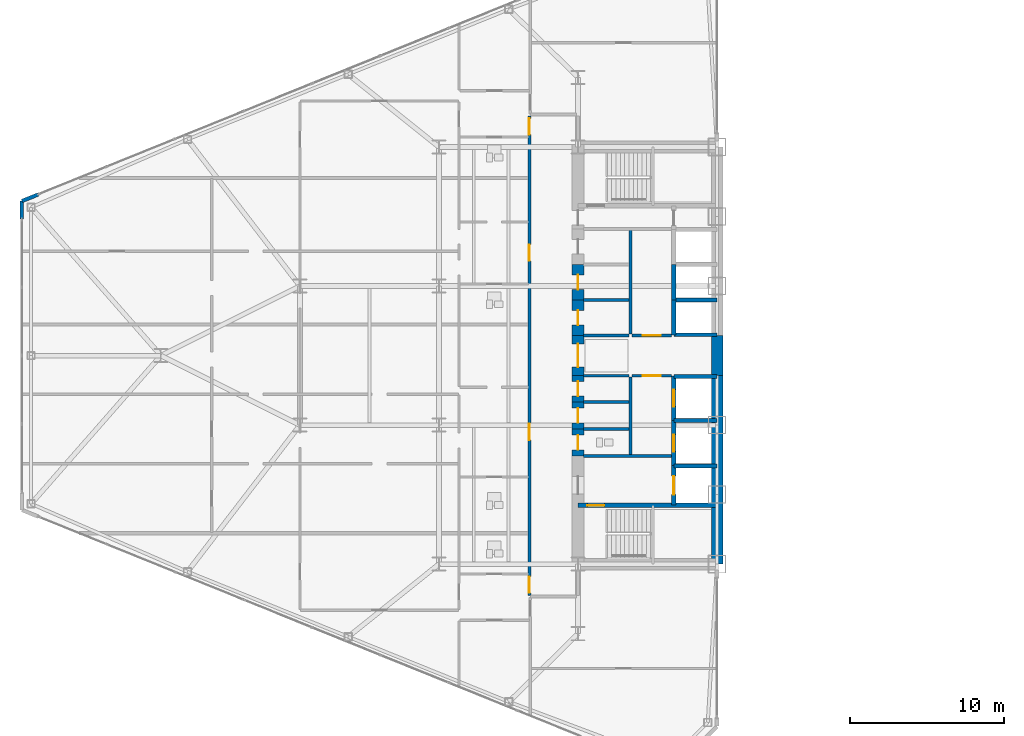
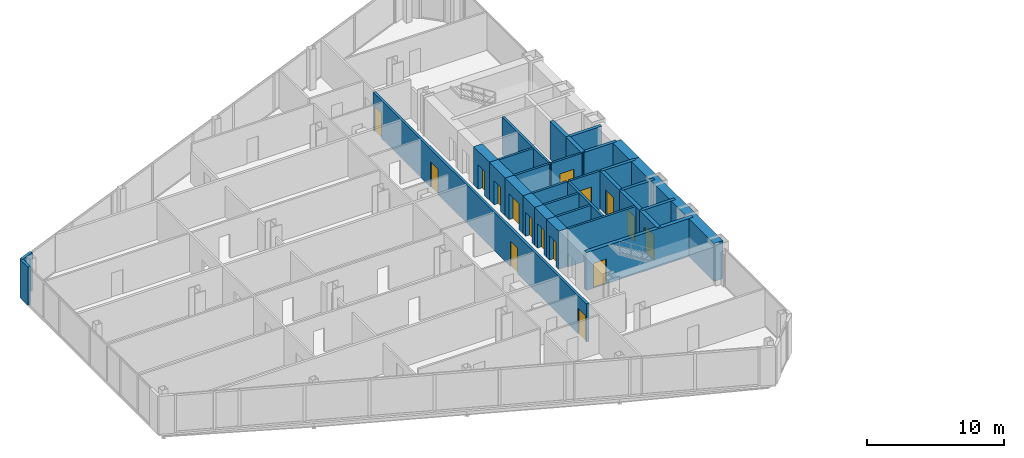
# One storey, part 18 of 25: 32 walls, 16 doors, 16 openings.
"""IFC4 building model written with IfcOpenShell, lengths in metres."""

from ifc_helpers import new_model, si_unit, direction, frame, frame_2d, origin, place, context, subcontext, project, spatial, rectangle, extrude, source, transform, mapped, material, layer, layer_set, type_object, type_shapes, element, fill, save


model = new_model("IFC4")

# Units and contexts
model_context = context("Model", 3, precision=1e-05, world=origin(), true_north=direction((0.0, 1.0)))
body_context = subcontext(model_context, "Body", "Model", "MODEL_VIEW")
ifc_project = project(units=[si_unit("LENGTHUNIT", "METRE"), si_unit("AREAUNIT", "SQUARE_METRE"), si_unit("VOLUMEUNIT", "CUBIC_METRE"), si_unit("PLANEANGLEUNIT", "RADIAN"), si_unit("MASSUNIT", "GRAM", prefix="KILO")], contexts=[model_context])

# Site, building, storey
site_placement = place(None, origin())
site = spatial("IfcSite", under=ifc_project, at=site_placement, CompositionType="ELEMENT")
building_placement = place(site_placement, origin())
building = spatial("IfcBuilding", under=site, at=building_placement, Name="Seokmaru Belvedere", CompositionType="ELEMENT")
storey_placement = place(building_placement, frame((0.0, 0.0, 33.300048828125)))
storey = spatial("IfcBuildingStorey", under=building, at=storey_placement, Name="L08", CompositionType="ELEMENT", Elevation=33.300048828125)

# Walls
ifc_material_1 = material(Name="Fire-Rated Gypsum Shaftwall")
ifc_layer_1 = layer(ifc_material_1, 0.179931640625)
ifc_layer_set_1 = layer_set([ifc_layer_1], Name="Fire-Rated Gypsum Shaftwall")
wall_type_1 = type_object("IfcWallType", Name="Core Service Fire Partition 180", PredefinedType="PARTITIONING", material=ifc_layer_set_1)
wall_1_placement = place(storey_placement, frame((-36.14990234375, -6.5, 0.0), z_axis=(0.0, 0.0, 1.0), x_axis=(1.0, 0.0, 0.0)))
element("IfcWall", 1, at=wall_1_placement, inside=storey, type_object=wall_type_1, Name="L08 West Firefighting Lobby Partition", PredefinedType="PARTITIONING", context=body_context, shape_type="SweptSolid", body=[
    extrude(rectangle(XDim=5.699951171875, YDim=0.179931640625, at=frame_2d((2.85009765625, 0.0))), origin(), (0.0, 0.0, 1.0), 3.3798828125),
])
wall_2_placement = place(storey_placement, frame((-33.10009765625, -6.419921875, 0.0), z_axis=(0.0, 0.0, 1.0), x_axis=(0.0, 1.0, 0.0)))
element("IfcWall", 2, at=wall_2_placement, inside=storey, type_object=wall_type_1, Name="L08 West South Core Service Back Wall", PredefinedType="PARTITIONING", context=body_context, shape_type="SweptSolid", body=[
    extrude(rectangle(XDim=5.0400390625, YDim=0.179931640625, at=frame_2d((2.52001953125, 0.0))), origin(), (0.0, 0.0, 1.0), 3.3798828125),
])
wall_3_placement = place(storey_placement, frame((-33.10009765625, 1.3798828125, 0.0), z_axis=(0.0, 0.0, 1.0), x_axis=(0.0, 1.0, 0.0)))
element("IfcWall", 3, at=wall_3_placement, inside=storey, type_object=wall_type_1, Name="L08 West North Core Service Back Wall", PredefinedType="PARTITIONING", context=body_context, shape_type="SweptSolid", body=[
    extrude(rectangle(XDim=6.740234375, YDim=0.179931640625, at=frame_2d((3.3701171875, 0.0))), origin(), (0.0, 0.0, 1.0), 3.3798828125),
])

# Wall, opening, door
wall_4_placement = place(storey_placement, frame((-33.02001953125, -1.300048828125, 0.0), z_axis=(0.0, 0.0, 1.0), x_axis=(1.0, 0.0, 0.0)))
wall_4 = element("IfcWall", 4, at=wall_4_placement, inside=storey, type_object=wall_type_1, Name="L08 West South Lift Lobby Foyer Wall", PredefinedType="PARTITIONING", context=body_context, shape_type="SweptSolid", body=[
    extrude(rectangle(XDim=2.570068359375, YDim=0.179931640625, at=frame_2d((1.28515625, 0.0))), origin(), (0.0, 0.0, 1.0), 3.3798828125),
])
opening_1_placement = place(wall_4_placement, frame((0.7099609375, 0.0, 0.0)))
opening_1 = element("IfcOpeningElement", 5, at=opening_1_placement, cuts=wall_4, Name="Opening D02", PredefinedType="OPENING", context=body_context, shape_type="SweptSolid", body=[
    extrude(rectangle(XDim=1.14990234375, YDim=2.199951171875, at=frame_2d((0.574951171875, 1.10009765625))), frame((0.0, 0.10009765625, 0.0), z_axis=(0.0, -1.0, 0.0), x_axis=(1.0, 0.0, 0.0)), (0.0, 0.0, 1.0), 0.199951171875),
])
ifc_material_2 = material(Name="Fire-Rated Steel Leaf", Category="steel")
door_type_1 = type_object("IfcDoorType", Name="Lobby and Vestibule Fire Door 1150x2200", OperationType="NOTDEFINED", PredefinedType="DOOR", material=ifc_material_2)
shared_shape_1 = source(origin(), body_context, "Body", "SweptSolid", [
    extrude(rectangle(XDim=1.14990234375, YDim=2.199951171875, at=frame_2d((0.574951171875, 1.10009765625))), frame((0.0, 0.02490234375, 0.0), z_axis=(0.0, -1.0, 0.0), x_axis=(1.0, 0.0, 0.0)), (0.0, 0.0, 1.0), 0.050048828125),
])
type_shapes(door_type_1, [shared_shape_1])
door_1_placement = place(opening_1_placement, origin())
door_1 = element("IfcDoor", 6, at=door_1_placement, inside=storey, type_object=door_type_1, Name="L08 West South Core Foyer Door", OperationType="SINGLE_SWING_LEFT", OverallHeight=2.199951171875, OverallWidth=1.14990234375, PredefinedType="DOOR", context=body_context, shape_type="MappedRepresentation", body=[
    mapped(shared_shape_1, transform((0.0, 0.0, 0.0), scale=1.0)),
])
fill(opening_1, door_1)

wall_5_placement = place(storey_placement, frame((-33.02001953125, 1.300048828125, 0.0), z_axis=(0.0, 0.0, 1.0), x_axis=(1.0, 0.0, 0.0)))
wall_5 = element("IfcWall", 7, at=wall_5_placement, inside=storey, type_object=wall_type_1, Name="L08 West North Lift Lobby Foyer Wall", PredefinedType="PARTITIONING", context=body_context, shape_type="SweptSolid", body=[
    extrude(rectangle(XDim=2.570068359375, YDim=0.179931640625, at=frame_2d((1.28515625, 0.0))), origin(), (0.0, 0.0, 1.0), 3.3798828125),
])
opening_2_placement = place(wall_5_placement, frame((0.7099609375, 0.0, 0.0)))
opening_2 = element("IfcOpeningElement", 8, at=opening_2_placement, cuts=wall_5, Name="Opening D02", PredefinedType="OPENING", context=body_context, shape_type="SweptSolid", body=[
    extrude(rectangle(XDim=1.14990234375, YDim=2.199951171875, at=frame_2d((0.574951171875, 1.10009765625))), frame((0.0, 0.10009765625, 0.0), z_axis=(0.0, -1.0, 0.0), x_axis=(1.0, 0.0, 0.0)), (0.0, 0.0, 1.0), 0.199951171875),
])
door_2_placement = place(opening_2_placement, origin())
door_2 = element("IfcDoor", 9, at=door_2_placement, inside=storey, type_object=door_type_1, Name="L08 West North Lift Lobby Door", OperationType="SINGLE_SWING_RIGHT", OverallHeight=2.199951171875, OverallWidth=1.14990234375, PredefinedType="DOOR", context=body_context, shape_type="MappedRepresentation", body=[
    mapped(shared_shape_1, transform((0.0, 0.0, 0.0), scale=1.0)),
])
fill(opening_2, door_2)

# Walls
for number, where, z_axis, x_axis, name in (
    (10, (-36.14990234375, -1.300048828125, 0.0), (0.0, 0.0, 1.0), (1.0, 0.0, 0.0), "L08 West Foyer Side Wall S"),
    (11, (-36.14990234375, 1.300048828125, 0.0), (0.0, 0.0, 1.0), (1.0, 0.0, 0.0), "L08 West Foyer Side Wall N"),
    (12, (-36.14990234375, -4.75, 0.0), (0.0, 0.0, 1.0), (1.0, 0.0, 0.0), "L08 West Core Service Partition 1"),
    (13, (-36.14990234375, -3.0, 0.0), (0.0, 0.0, 1.0), (1.0, 0.0, 0.0), "L08 West Core Service Partition 2"),
    (14, (-36.14990234375, 3.60009765625, 0.0), (0.0, 0.0, 1.0), (1.0, 0.0, 0.0), "L08 West Core Service Partition 3"),
):
    element("IfcWall", number, at=place(storey_placement, frame(where, z_axis=z_axis, x_axis=x_axis)), inside=storey, type_object=wall_type_1, Name=name, PredefinedType="PARTITIONING", context=body_context, shape_type="SweptSolid", body=[
        extrude(rectangle(XDim=2.949951171875, YDim=0.179931640625, at=frame_2d((1.47509765625, 0.0))), origin(), (0.0, 0.0, 1.0), 3.3798828125),
    ])
ifc_material_3 = material(Name="Concrete C50 (50 MPa)", Category="concrete")
ifc_layer_2 = layer(ifc_material_3, 0.25)
ifc_layer_set_2 = layer_set([ifc_layer_2], Name="Concrete C50 (50 MPa)")
wall_type_2 = type_object("IfcWallType", Name="Hoistway Transverse Concrete Divider Wall 250", PredefinedType="SHEAR", material=ifc_layer_set_2)
for number, where, z_axis, x_axis, name in (
    (15, (-30.300048828125, -7.14990234375, 0.0), (0.0, 0.0, 1.0), (1.0, 0.0, 0.0), "L08 West Hoistway Divider Core Wall 1"),
    (16, (-30.300048828125, -4.199951171875, 0.0), (0.0, 0.0, 1.0), (1.0, 0.0, 0.0), "L08 West Hoistway Divider Core Wall 2"),
    (17, (-30.300048828125, -1.35009765625, 0.0), (0.0, 0.0, 1.0), (1.0, 0.0, 0.0), "L08 West Hoistway Divider Core Wall 3"),
    (18, (-30.300048828125, 1.35009765625, 0.0), (0.0, 0.0, 1.0), (1.0, 0.0, 0.0), "L08 West Hoistway Divider Core Wall 4"),
    (19, (-30.300048828125, 3.60009765625, 0.0), (0.0, 0.0, 1.0), (1.0, 0.0, 0.0), "L08 West Hoistway Divider Core Wall 5"),
):
    element("IfcWall", number, at=place(storey_placement, frame(where, z_axis=z_axis, x_axis=x_axis)), inside=storey, type_object=wall_type_2, Name=name, PredefinedType="SHEAR", context=body_context, shape_type="SweptSolid", body=[
        extrude(rectangle(XDim=2.800048828125, YDim=0.25, at=frame_2d((1.39990234375, 0.0))), origin(), (0.0, 0.0, 1.0), 3.3798828125),
    ])

# Wall, openings, doors
ifc_layer_3 = layer(ifc_material_1, 0.199951171875)
ifc_layer_set_3 = layer_set([ifc_layer_3], Name="Fire-Rated Gypsum Shaftwall")
wall_type_3 = type_object("IfcWallType", Name="Inter-Tenancy Fire Compartment Partition 200", PredefinedType="PARTITIONING", material=ifc_layer_set_3)
wall_6_placement = place(storey_placement, frame((-39.64990234375, -15.514892578125, 0.0), z_axis=(0.0, 0.0, 1.0), x_axis=(0.0, 1.0, 0.0)))
wall_6 = element("IfcWall", 20, at=wall_6_placement, inside=storey, type_object=wall_type_3, Name="L08 Interior Partition 045", PredefinedType="PARTITIONING", context=body_context, shape_type="SweptSolid", body=[
    extrude(rectangle(XDim=31.02978515625, YDim=0.199951171875, at=frame_2d((15.514892578125, 0.0))), origin(), (0.0, 0.0, 1.0), 3.3798828125),
])
opening_3_placement = place(wall_6_placement, frame((0.159912109375, 0.0, 0.0)))
opening_3 = element("IfcOpeningElement", 21, at=opening_3_placement, cuts=wall_6, Name="Opening D03", PredefinedType="OPENING", context=body_context, shape_type="SweptSolid", body=[
    extrude(rectangle(XDim=1.050048828125, YDim=2.25, at=frame_2d((0.52490234375, 1.125))), frame((0.0, 0.10986328125, 0.0), z_axis=(0.0, -1.0, 0.0), x_axis=(1.0, 0.0, 0.0)), (0.0, 0.0, 1.0), 0.219970703125),
])
opening_4_placement = place(wall_6_placement, frame((10.03759765625, 0.0, 0.0)))
opening_4 = element("IfcOpeningElement", 22, at=opening_4_placement, cuts=wall_6, Name="Opening D03", PredefinedType="OPENING", context=body_context, shape_type="SweptSolid", body=[
    extrude(rectangle(XDim=1.050048828125, YDim=2.25, at=frame_2d((0.52490234375, 1.125))), frame((0.0, 0.10986328125, 0.0), z_axis=(0.0, -1.0, 0.0), x_axis=(1.0, 0.0, 0.0)), (0.0, 0.0, 1.0), 0.219970703125),
])
opening_5_placement = place(wall_6_placement, frame((21.638427734375, 0.0, 0.0)))
opening_5 = element("IfcOpeningElement", 23, at=opening_5_placement, cuts=wall_6, Name="Opening D03", PredefinedType="OPENING", context=body_context, shape_type="SweptSolid", body=[
    extrude(rectangle(XDim=1.050048828125, YDim=2.25, at=frame_2d((0.52490234375, 1.125))), frame((0.0, 0.10986328125, 0.0), z_axis=(0.0, -1.0, 0.0), x_axis=(1.0, 0.0, 0.0)), (0.0, 0.0, 1.0), 0.219970703125),
])
opening_6_placement = place(wall_6_placement, frame((29.820068359375, 0.0, 0.0)))
opening_6 = element("IfcOpeningElement", 24, at=opening_6_placement, cuts=wall_6, Name="Opening D03", PredefinedType="OPENING", context=body_context, shape_type="SweptSolid", body=[
    extrude(rectangle(XDim=1.050048828125, YDim=2.25, at=frame_2d((0.52490234375, 1.125))), frame((0.0, 0.10986328125, 0.0), z_axis=(0.0, -1.0, 0.0), x_axis=(1.0, 0.0, 0.0)), (0.0, 0.0, 1.0), 0.219970703125),
])
door_type_2 = type_object("IfcDoorType", Name="Apartment Entrance Fire Door 1050x2250", OperationType="NOTDEFINED", PredefinedType="DOOR", material=ifc_material_2)
shared_shape_2 = source(origin(), body_context, "Body", "SweptSolid", [
    extrude(rectangle(XDim=1.050048828125, YDim=2.25, at=frame_2d((0.52490234375, 1.125))), frame((0.0, 0.02490234375, 0.0), z_axis=(0.0, -1.0, 0.0), x_axis=(1.0, 0.0, 0.0)), (0.0, 0.0, 1.0), 0.050048828125),
])
type_shapes(door_type_2, [shared_shape_2])
door_3_placement = place(opening_3_placement, origin())
door_3 = element("IfcDoor", 25, at=door_3_placement, inside=storey, type_object=door_type_2, Name="L08 Interior Door 001", OperationType="SINGLE_SWING_RIGHT", OverallHeight=2.25, OverallWidth=1.050048828125, PredefinedType="DOOR", context=body_context, shape_type="MappedRepresentation", body=[
    mapped(shared_shape_2, transform((0.0, 0.0, 0.0), scale=1.0)),
])
fill(opening_3, door_3)
door_4_placement = place(opening_4_placement, origin())
door_4 = element("IfcDoor", 26, at=door_4_placement, inside=storey, type_object=door_type_2, Name="L08 Interior Door 009", OperationType="SINGLE_SWING_LEFT", OverallHeight=2.25, OverallWidth=1.050048828125, PredefinedType="DOOR", context=body_context, shape_type="MappedRepresentation", body=[
    mapped(shared_shape_2, transform((0.0, 0.0, 0.0), scale=1.0)),
])
fill(opening_4, door_4)
door_5_placement = place(opening_5_placement, origin())
door_5 = element("IfcDoor", 27, at=door_5_placement, inside=storey, type_object=door_type_2, Name="L08 Interior Door 021", OperationType="SINGLE_SWING_RIGHT", OverallHeight=2.25, OverallWidth=1.050048828125, PredefinedType="DOOR", context=body_context, shape_type="MappedRepresentation", body=[
    mapped(shared_shape_2, transform((0.0, 0.0, 0.0), scale=1.0)),
])
fill(opening_5, door_5)
door_6_placement = place(opening_6_placement, origin())
door_6 = element("IfcDoor", 28, at=door_6_placement, inside=storey, type_object=door_type_2, Name="L08 Interior Door 030", OperationType="SINGLE_SWING_LEFT", OverallHeight=2.25, OverallWidth=1.050048828125, PredefinedType="DOOR", context=body_context, shape_type="MappedRepresentation", body=[
    mapped(shared_shape_2, transform((0.0, 0.0, 0.0), scale=1.0)),
])
fill(opening_6, door_6)

# Wall, opening, door
ifc_layer_4 = layer(ifc_material_3, 0.300048828125)
ifc_layer_set_4 = layer_set([ifc_layer_4], Name="Concrete C50 (50 MPa)")
wall_type_4 = type_object("IfcWallType", Name="Internal Core Stair and Hoistway Wall 300", PredefinedType="SHEAR", material=ifc_layer_set_4)
wall_7_placement = place(storey_placement, frame((-36.5, -9.699951171875, 0.0), z_axis=(0.0, 0.0, 1.0), x_axis=(1.0, 0.0, 0.0)))
wall_7 = element("IfcWall", 29, at=wall_7_placement, inside=storey, type_object=wall_type_4, Name="L08 West Stair ST-1 Enclosure Wall", PredefinedType="SHEAR", context=body_context, shape_type="SweptSolid", body=[
    extrude(rectangle(XDim=9.0, YDim=0.300048828125, at=frame_2d((4.5, 0.0))), origin(), (0.0, 0.0, 1.0), 3.3798828125),
])
opening_7_placement = place(wall_7_placement, frame((0.60009765625, 0.0, 0.0)))
opening_7 = element("IfcOpeningElement", 30, at=opening_7_placement, cuts=wall_7, Name="Opening D01", PredefinedType="OPENING", context=body_context, shape_type="SweptSolid", body=[
    extrude(rectangle(XDim=1.10009765625, YDim=2.199951171875, at=frame_2d((0.550048828125, 1.10009765625))), frame((0.0, 0.16015625, 0.0), z_axis=(0.0, -1.0, 0.0), x_axis=(1.0, 0.0, 0.0)), (0.0, 0.0, 1.0), 0.320068359375),
])
door_type_3 = type_object("IfcDoorType", Name="Special Escape Stair Smokeproof Fire Door 1100x2200", OperationType="NOTDEFINED", PredefinedType="DOOR", material=ifc_material_2)
shared_shape_3 = source(origin(), body_context, "Body", "SweptSolid", [
    extrude(rectangle(XDim=1.10009765625, YDim=2.199951171875, at=frame_2d((0.550048828125, 1.10009765625))), frame((0.0, 0.02490234375, 0.0), z_axis=(0.0, -1.0, 0.0), x_axis=(1.0, 0.0, 0.0)), (0.0, 0.0, 1.0), 0.050048828125),
])
type_shapes(door_type_3, [shared_shape_3])
door_7_placement = place(opening_7_placement, frame((1.10009765625, 0.0, 0.0), z_axis=(0.0, 0.0, 1.0), x_axis=(-1.0, 0.0, 0.0)))
door_7 = element("IfcDoor", 31, at=door_7_placement, inside=storey, type_object=door_type_3, Name="L08 West Special Escape Stair ST-1 Door", OperationType="SINGLE_SWING_LEFT", OverallHeight=2.199951171875, OverallWidth=1.10009765625, PredefinedType="DOOR", context=body_context, shape_type="MappedRepresentation", body=[
    mapped(shared_shape_3, transform((0.0, 0.0, 0.0), scale=1.0)),
])
fill(opening_7, door_7)

wall_8_placement = place(storey_placement, frame((-30.300048828125, -9.679931640625, 0.0), z_axis=(0.0, 0.0, 1.0), x_axis=(0.0, 1.0, 0.0)))
wall_8 = element("IfcWall", 32, at=wall_8_placement, inside=storey, type_object=wall_type_4, Name="L08 West Firefighting Lift Shaft Front Wall", PredefinedType="SHEAR", context=body_context, shape_type="SweptSolid", body=[
    extrude(rectangle(XDim=2.559814453125, YDim=0.300048828125, at=frame_2d((1.27978515625, 0.0))), origin(), (0.0, 0.0, 1.0), 3.3798828125),
])
opening_8_placement = place(wall_8_placement, frame((0.679931640625, 0.0, 0.0)))
opening_8 = element("IfcOpeningElement", 33, at=opening_8_placement, cuts=wall_8, Name="Opening LD2", PredefinedType="OPENING", context=body_context, shape_type="SweptSolid", body=[
    extrude(rectangle(XDim=1.199951171875, YDim=2.25, at=frame_2d((0.60009765625, 1.125))), frame((0.0, 0.16015625, 0.0), z_axis=(0.0, -1.0, 0.0), x_axis=(1.0, 0.0, 0.0)), (0.0, 0.0, 1.0), 0.320068359375),
])
ifc_material_4 = material(Name="Stainless Steel 316", Category="steel")
door_type_4 = type_object("IfcDoorType", Name="Firefighting Lift Sliding Landing Door 1200x2250", OperationType="DOUBLE_DOOR_SLIDING", PredefinedType="DOOR", material=ifc_material_4)
shared_shape_4 = source(origin(), body_context, "Body", "SweptSolid", [
    extrude(rectangle(XDim=1.199951171875, YDim=2.25, at=frame_2d((0.60009765625, 1.125))), frame((0.0, 0.02490234375, 0.0), z_axis=(0.0, -1.0, 0.0), x_axis=(1.0, 0.0, 0.0)), (0.0, 0.0, 1.0), 0.050048828125),
])
type_shapes(door_type_4, [shared_shape_4])
door_8_placement = place(opening_8_placement, origin())
door_8 = element("IfcDoor", 34, at=door_8_placement, inside=storey, type_object=door_type_4, Name="L08 West Firefighting Lift Landing Door", OperationType="DOUBLE_DOOR_SLIDING", OverallHeight=2.25, OverallWidth=1.199951171875, PredefinedType="DOOR", context=body_context, shape_type="MappedRepresentation", body=[
    mapped(shared_shape_4, transform((0.0, 0.0, 0.0), scale=1.0)),
])
fill(opening_8, door_8)

wall_9_placement = place(storey_placement, frame((-30.300048828125, -7.1201171875, 0.0), z_axis=(0.0, 0.0, 1.0), x_axis=(0.0, 1.0, 0.0)))
wall_9 = element("IfcWall", 35, at=wall_9_placement, inside=storey, type_object=wall_type_4, Name="L08 West Low-Rise Lift PL-1 Front Wall", PredefinedType="SHEAR", context=body_context, shape_type="SweptSolid", body=[
    extrude(rectangle(XDim=2.920166015625, YDim=0.300048828125, at=frame_2d((1.4599609375, 0.0))), origin(), (0.0, 0.0, 1.0), 3.3798828125),
])
opening_9_placement = place(wall_9_placement, frame((0.909912109375, 0.0, 0.0)))
opening_9 = element("IfcOpeningElement", 36, at=opening_9_placement, cuts=wall_9, Name="Opening LD1", PredefinedType="OPENING", context=body_context, shape_type="SweptSolid", body=[
    extrude(rectangle(XDim=1.10009765625, YDim=2.199951171875, at=frame_2d((0.550048828125, 1.10009765625))), frame((0.0, 0.16015625, 0.0), z_axis=(0.0, -1.0, 0.0), x_axis=(1.0, 0.0, 0.0)), (0.0, 0.0, 1.0), 0.320068359375),
])
door_type_5 = type_object("IfcDoorType", Name="Passenger Lift Sliding Landing Door 1100x2200", OperationType="DOUBLE_DOOR_SLIDING", PredefinedType="DOOR", material=ifc_material_4)
shared_shape_5 = source(origin(), body_context, "Body", "SweptSolid", [
    extrude(rectangle(XDim=1.10009765625, YDim=2.199951171875, at=frame_2d((0.550048828125, 1.10009765625))), frame((0.0, 0.02490234375, 0.0), z_axis=(0.0, -1.0, 0.0), x_axis=(1.0, 0.0, 0.0)), (0.0, 0.0, 1.0), 0.050048828125),
])
type_shapes(door_type_5, [shared_shape_5])
door_9_placement = place(opening_9_placement, origin())
door_9 = element("IfcDoor", 37, at=door_9_placement, inside=storey, type_object=door_type_5, Name="L08 West Low-Rise Lift PL-1 Landing Door", OperationType="DOUBLE_DOOR_SLIDING", OverallHeight=2.199951171875, OverallWidth=1.10009765625, PredefinedType="DOOR", context=body_context, shape_type="MappedRepresentation", body=[
    mapped(shared_shape_5, transform((0.0, 0.0, 0.0), scale=1.0)),
])
fill(opening_9, door_9)

wall_10_placement = place(storey_placement, frame((-30.300048828125, -4.199951171875, 0.0), z_axis=(0.0, 0.0, 1.0), x_axis=(0.0, 1.0, 0.0)))
wall_10 = element("IfcWall", 38, at=wall_10_placement, inside=storey, type_object=wall_type_4, Name="L08 West Low-Rise Lift PL-2 Front Wall", PredefinedType="SHEAR", context=body_context, shape_type="SweptSolid", body=[
    extrude(rectangle(XDim=2.8798828125, YDim=0.300048828125, at=frame_2d((1.43994140625, 0.0))), origin(), (0.0, 0.0, 1.0), 3.3798828125),
])
opening_10_placement = place(wall_10_placement, frame((0.889892578125, 0.0, 0.0)))
opening_10 = element("IfcOpeningElement", 39, at=opening_10_placement, cuts=wall_10, Name="Opening LD1", PredefinedType="OPENING", context=body_context, shape_type="SweptSolid", body=[
    extrude(rectangle(XDim=1.10009765625, YDim=2.199951171875, at=frame_2d((0.550048828125, 1.10009765625))), frame((0.0, 0.16015625, 0.0), z_axis=(0.0, -1.0, 0.0), x_axis=(1.0, 0.0, 0.0)), (0.0, 0.0, 1.0), 0.320068359375),
])
door_10_placement = place(opening_10_placement, origin())
door_10 = element("IfcDoor", 40, at=door_10_placement, inside=storey, type_object=door_type_5, Name="L08 West Low-Rise Lift PL-2 Landing Door", OperationType="DOUBLE_DOOR_SLIDING", OverallHeight=2.199951171875, OverallWidth=1.10009765625, PredefinedType="DOOR", context=body_context, shape_type="MappedRepresentation", body=[
    mapped(shared_shape_5, transform((0.0, 0.0, 0.0), scale=1.0)),
])
fill(opening_10, door_10)

# Walls
wall_11_placement = place(storey_placement, frame((-30.300048828125, 1.320068359375, 0.0), z_axis=(0.0, 0.0, 1.0), x_axis=(0.0, 1.0, 0.0)))
element("IfcWall", 41, at=wall_11_placement, inside=storey, type_object=wall_type_4, Name="L08 West North Hoistway Wall PH1", PredefinedType="SHEAR", context=body_context, shape_type="SweptSolid", body=[
    extrude(rectangle(XDim=2.280029296875, YDim=0.300048828125, at=frame_2d((1.14013671875, 0.0))), origin(), (0.0, 0.0, 1.0), 3.3798828125),
])
wall_12_placement = place(storey_placement, frame((-30.300048828125, 3.60009765625, 0.0), z_axis=(0.0, 0.0, 1.0), x_axis=(0.0, 1.0, 0.0)))
element("IfcWall", 42, at=wall_12_placement, inside=storey, type_object=wall_type_4, Name="L08 West North Hoistway Wall PH2", PredefinedType="SHEAR", context=body_context, shape_type="SweptSolid", body=[
    extrude(rectangle(XDim=2.2998046875, YDim=0.300048828125, at=frame_2d((1.14990234375, 0.0))), origin(), (0.0, 0.0, 1.0), 3.3798828125),
])
ifc_material_5 = material(Name="Concrete C60 (60 MPa)", Category="concrete")
ifc_layer_5 = layer(ifc_material_5, 0.75)
ifc_layer_set_5 = layer_set([ifc_layer_5], Name="Concrete C60 (60 MPa)")
wall_type_5 = type_object("IfcWallType", Name="Lower Tower Reinforced Concrete Core Wall 750", PredefinedType="SHEAR", material=ifc_layer_set_5)
wall_13_placement = place(storey_placement, frame((-27.5, -13.5, 0.0), z_axis=(0.0, 0.0, 1.0), x_axis=(0.0, 1.0, 0.0)))
element("IfcWall", 43, at=wall_13_placement, inside=storey, type_object=wall_type_5, Name="L08 West Portal Spine Core Wall South", PredefinedType="SHEAR", context=body_context, shape_type="SweptSolid", body=[
    extrude(rectangle(XDim=12.199951171875, YDim=0.75, at=frame_2d((6.10009765625, 0.0))), origin(), (0.0, 0.0, 1.0), 3.3798828125),
])
wall_14_placement = place(storey_placement, frame((-27.5, -1.300048828125, 0.0), z_axis=(0.0, 0.0, 1.0), x_axis=(0.0, 1.0, 0.0)))
element("IfcWall", 44, at=wall_14_placement, inside=storey, type_object=wall_type_5, Name="L08 West Portal Spine Core Wall Center", PredefinedType="SHEAR", context=body_context, shape_type="SweptSolid", body=[
    extrude(rectangle(XDim=2.60009765625, YDim=0.75, at=frame_2d((1.300048828125, 0.0))), origin(), (0.0, 0.0, 1.0), 3.3798828125),
])

# Wall, opening, door
wall_15_placement = place(storey_placement, frame((-36.5, -1.300048828125, 0.0), z_axis=(0.0, 0.0, 1.0), x_axis=(0.0, 1.0, 0.0)))
wall_15 = element("IfcWall", 45, at=wall_15_placement, inside=storey, type_object=wall_type_5, Name="L08 West West Core Wall FOY", PredefinedType="SHEAR", context=body_context, shape_type="SweptSolid", body=[
    extrude(rectangle(XDim=2.60009765625, YDim=0.75, at=frame_2d((1.300048828125, 0.0))), origin(), (0.0, 0.0, 1.0), 3.3798828125),
])
opening_11_placement = place(wall_15_placement, frame((0.550048828125, 0.0, 0.0)))
opening_11 = element("IfcOpeningElement", 46, at=opening_11_placement, cuts=wall_15, Name="Opening D08", PredefinedType="OPENING", context=body_context, shape_type="SweptSolid", body=[
    extrude(rectangle(XDim=1.5, YDim=2.300048828125, at=frame_2d((0.75, 1.14990234375))), frame((0.0, 0.385009765625, 0.0), z_axis=(0.0, -1.0, 0.0), x_axis=(1.0, 0.0, 0.0)), (0.0, 0.0, 1.0), 0.77001953125),
])
door_type_6 = type_object("IfcDoorType", Name="Cross-Corridor Compartment Double Fire Door 1500x2300", OperationType="DOUBLE_SWING_LEFT", PredefinedType="DOOR", material=ifc_material_2)
shared_shape_6 = source(origin(), body_context, "Body", "SweptSolid", [
    extrude(rectangle(XDim=1.5, YDim=2.300048828125, at=frame_2d((0.75, 1.14990234375))), frame((0.0, 0.02490234375, 0.0), z_axis=(0.0, -1.0, 0.0), x_axis=(1.0, 0.0, 0.0)), (0.0, 0.0, 1.0), 0.050048828125),
])
type_shapes(door_type_6, [shared_shape_6])
door_11_placement = place(opening_11_placement, origin())
door_11 = element("IfcDoor", 47, at=door_11_placement, inside=storey, type_object=door_type_6, Name="L08 West Core Foyer Compartment Door", OperationType="DOUBLE_SWING_LEFT", OverallHeight=2.300048828125, OverallWidth=1.5, PredefinedType="DOOR", context=body_context, shape_type="MappedRepresentation", body=[
    mapped(shared_shape_6, transform((0.0, 0.0, 0.0), scale=1.0)),
])
fill(opening_11, door_11)

wall_16_placement = place(storey_placement, frame((-36.5, -6.5, 0.0), z_axis=(0.0, 0.0, 1.0), x_axis=(0.0, 1.0, 0.0)))
wall_16 = element("IfcWall", 48, at=wall_16_placement, inside=storey, type_object=wall_type_5, Name="L08 West West Core Wall CS1", PredefinedType="SHEAR", context=body_context, shape_type="SweptSolid", body=[
    extrude(rectangle(XDim=1.75, YDim=0.75, at=frame_2d((0.875, 0.0))), origin(), (0.0, 0.0, 1.0), 3.3798828125),
])
opening_12_placement = place(wall_16_placement, frame((0.39990234375, 0.0, 0.0)))
opening_12 = element("IfcOpeningElement", 49, at=opening_12_placement, cuts=wall_16, Name="Opening D04", PredefinedType="OPENING", context=body_context, shape_type="SweptSolid", body=[
    extrude(rectangle(XDim=0.949951171875, YDim=2.14990234375, at=frame_2d((0.47509765625, 1.074951171875))), frame((0.0, 0.385009765625, 0.0), z_axis=(0.0, -1.0, 0.0), x_axis=(1.0, 0.0, 0.0)), (0.0, 0.0, 1.0), 0.77001953125),
])
door_type_7 = type_object("IfcDoorType", Name="Core Service Room Fire Door 950x2150", OperationType="NOTDEFINED", PredefinedType="DOOR", material=ifc_material_2)
shared_shape_7 = source(origin(), body_context, "Body", "SweptSolid", [
    extrude(rectangle(XDim=0.949951171875, YDim=2.14990234375, at=frame_2d((0.47509765625, 1.074951171875))), frame((0.0, 0.02490234375, 0.0), z_axis=(0.0, -1.0, 0.0), x_axis=(1.0, 0.0, 0.0)), (0.0, 0.0, 1.0), 0.050048828125),
])
type_shapes(door_type_7, [shared_shape_7])
door_12_placement = place(opening_12_placement, origin())
door_12 = element("IfcDoor", 50, at=door_12_placement, inside=storey, type_object=door_type_7, Name="L08 West Core Service Room Door 1", OperationType="SINGLE_SWING_LEFT", OverallHeight=2.14990234375, OverallWidth=0.949951171875, PredefinedType="DOOR", context=body_context, shape_type="MappedRepresentation", body=[
    mapped(shared_shape_7, transform((0.0, 0.0, 0.0), scale=1.0)),
])
fill(opening_12, door_12)

wall_17_placement = place(storey_placement, frame((-36.5, -4.75, 0.0), z_axis=(0.0, 0.0, 1.0), x_axis=(0.0, 1.0, 0.0)))
wall_17 = element("IfcWall", 51, at=wall_17_placement, inside=storey, type_object=wall_type_5, Name="L08 West West Core Wall CS2", PredefinedType="SHEAR", context=body_context, shape_type="SweptSolid", body=[
    extrude(rectangle(XDim=1.75, YDim=0.75, at=frame_2d((0.875, 0.0))), origin(), (0.0, 0.0, 1.0), 3.3798828125),
])
opening_13_placement = place(wall_17_placement, frame((0.39990234375, 0.0, 0.0)))
opening_13 = element("IfcOpeningElement", 52, at=opening_13_placement, cuts=wall_17, Name="Opening D04", PredefinedType="OPENING", context=body_context, shape_type="SweptSolid", body=[
    extrude(rectangle(XDim=0.949951171875, YDim=2.14990234375, at=frame_2d((0.47509765625, 1.074951171875))), frame((0.0, 0.385009765625, 0.0), z_axis=(0.0, -1.0, 0.0), x_axis=(1.0, 0.0, 0.0)), (0.0, 0.0, 1.0), 0.77001953125),
])
door_13_placement = place(opening_13_placement, origin())
door_13 = element("IfcDoor", 53, at=door_13_placement, inside=storey, type_object=door_type_7, Name="L08 West Core Service Room Door 2", OperationType="SINGLE_SWING_RIGHT", OverallHeight=2.14990234375, OverallWidth=0.949951171875, PredefinedType="DOOR", context=body_context, shape_type="MappedRepresentation", body=[
    mapped(shared_shape_7, transform((0.0, 0.0, 0.0), scale=1.0)),
])
fill(opening_13, door_13)

wall_18_placement = place(storey_placement, frame((-36.5, -3.0, 0.0), z_axis=(0.0, 0.0, 1.0), x_axis=(0.0, 1.0, 0.0)))
wall_18 = element("IfcWall", 54, at=wall_18_placement, inside=storey, type_object=wall_type_5, Name="L08 West West Core Wall CS3", PredefinedType="SHEAR", context=body_context, shape_type="SweptSolid", body=[
    extrude(rectangle(XDim=1.699951171875, YDim=0.75, at=frame_2d((0.85009765625, 0.0))), origin(), (0.0, 0.0, 1.0), 3.3798828125),
])
opening_14_placement = place(wall_18_placement, frame((0.375, 0.0, 0.0)))
opening_14 = element("IfcOpeningElement", 55, at=opening_14_placement, cuts=wall_18, Name="Opening D04", PredefinedType="OPENING", context=body_context, shape_type="SweptSolid", body=[
    extrude(rectangle(XDim=0.949951171875, YDim=2.14990234375, at=frame_2d((0.47509765625, 1.074951171875))), frame((0.0, 0.385009765625, 0.0), z_axis=(0.0, -1.0, 0.0), x_axis=(1.0, 0.0, 0.0)), (0.0, 0.0, 1.0), 0.77001953125),
])
door_14_placement = place(opening_14_placement, origin())
door_14 = element("IfcDoor", 56, at=door_14_placement, inside=storey, type_object=door_type_7, Name="L08 West Core Service Room Door 3", OperationType="SINGLE_SWING_LEFT", OverallHeight=2.14990234375, OverallWidth=0.949951171875, PredefinedType="DOOR", context=body_context, shape_type="MappedRepresentation", body=[
    mapped(shared_shape_7, transform((0.0, 0.0, 0.0), scale=1.0)),
])
fill(opening_14, door_14)

wall_19_placement = place(storey_placement, frame((-36.5, 1.300048828125, 0.0), z_axis=(0.0, 0.0, 1.0), x_axis=(0.0, 1.0, 0.0)))
wall_19 = element("IfcWall", 57, at=wall_19_placement, inside=storey, type_object=wall_type_5, Name="L08 West West Core Wall CS4", PredefinedType="SHEAR", context=body_context, shape_type="SweptSolid", body=[
    extrude(rectangle(XDim=2.300048828125, YDim=0.75, at=frame_2d((1.14990234375, 0.0))), origin(), (0.0, 0.0, 1.0), 3.3798828125),
])
opening_15_placement = place(wall_19_placement, frame((0.675048828125, 0.0, 0.0)))
opening_15 = element("IfcOpeningElement", 58, at=opening_15_placement, cuts=wall_19, Name="Opening D04", PredefinedType="OPENING", context=body_context, shape_type="SweptSolid", body=[
    extrude(rectangle(XDim=0.949951171875, YDim=2.14990234375, at=frame_2d((0.47509765625, 1.074951171875))), frame((0.0, 0.385009765625, 0.0), z_axis=(0.0, -1.0, 0.0), x_axis=(1.0, 0.0, 0.0)), (0.0, 0.0, 1.0), 0.77001953125),
])
door_15_placement = place(opening_15_placement, origin())
door_15 = element("IfcDoor", 59, at=door_15_placement, inside=storey, type_object=door_type_7, Name="L08 West Core Service Room Door 4", OperationType="SINGLE_SWING_RIGHT", OverallHeight=2.14990234375, OverallWidth=0.949951171875, PredefinedType="DOOR", context=body_context, shape_type="MappedRepresentation", body=[
    mapped(shared_shape_7, transform((0.0, 0.0, 0.0), scale=1.0)),
])
fill(opening_15, door_15)

wall_20_placement = place(storey_placement, frame((-36.5, 3.60009765625, 0.0), z_axis=(0.0, 0.0, 1.0), x_axis=(0.0, 1.0, 0.0)))
wall_20 = element("IfcWall", 60, at=wall_20_placement, inside=storey, type_object=wall_type_5, Name="L08 West West Core Wall CS5", PredefinedType="SHEAR", context=body_context, shape_type="SweptSolid", body=[
    extrude(rectangle(XDim=2.2998046875, YDim=0.75, at=frame_2d((1.14990234375, 0.0))), origin(), (0.0, 0.0, 1.0), 3.3798828125),
])
opening_16_placement = place(wall_20_placement, frame((0.675048828125, 0.0, 0.0)))
opening_16 = element("IfcOpeningElement", 61, at=opening_16_placement, cuts=wall_20, Name="Opening D04", PredefinedType="OPENING", context=body_context, shape_type="SweptSolid", body=[
    extrude(rectangle(XDim=0.949951171875, YDim=2.14990234375, at=frame_2d((0.47509765625, 1.074951171875))), frame((0.0, 0.385009765625, 0.0), z_axis=(0.0, -1.0, 0.0), x_axis=(1.0, 0.0, 0.0)), (0.0, 0.0, 1.0), 0.77001953125),
])
door_16_placement = place(opening_16_placement, origin())
door_16 = element("IfcDoor", 62, at=door_16_placement, inside=storey, type_object=door_type_7, Name="L08 West Core Service Room Door 5", OperationType="SINGLE_SWING_LEFT", OverallHeight=2.14990234375, OverallWidth=0.949951171875, PredefinedType="DOOR", context=body_context, shape_type="MappedRepresentation", body=[
    mapped(shared_shape_7, transform((0.0, 0.0, 0.0), scale=1.0)),
])
fill(opening_16, door_16)

# Walls
ifc_material_6 = material(Name="Anodised Bronze Aluminium", Category="aluminium")
ifc_layer_6 = layer(ifc_material_6, 0.239990234375)
ifc_layer_set_6 = layer_set([ifc_layer_6], Name="Anodised Bronze Aluminium")
wall_type_6 = type_object("IfcWallType", Name="Tower Corner Spandrel Closure Wall 240", PredefinedType="SOLIDWALL", material=ifc_layer_set_6)
for number, where, z_axis, x_axis, name in (
    (63, (-71.43408203125, 10.431396484375, 0.0), (0.0, 0.0, 1.0), (-0.927007103665, -0.375043770452, 0.0), "L08 W Corner Closure Pier 3B"),
    (64, (-72.5, 9.989990234375, 0.0), (0.0, 0.0, 1.0), (0.0, -1.0, 0.0), "L08 W Corner Closure Pier 4A"),
):
    element("IfcWall", number, at=place(storey_placement, frame(where, z_axis=z_axis, x_axis=x_axis)), inside=storey, type_object=wall_type_6, Name=name, PredefinedType="SOLIDWALL", context=body_context, shape_type="SweptSolid", body=[
        extrude(rectangle(XDim=1.139892578125, YDim=0.239990234375, at=frame_2d((0.56982421875, 0.0))), origin(), (0.0, 0.0, 1.0), 3.3798828125),
    ])

save(model, "model.ifc")
